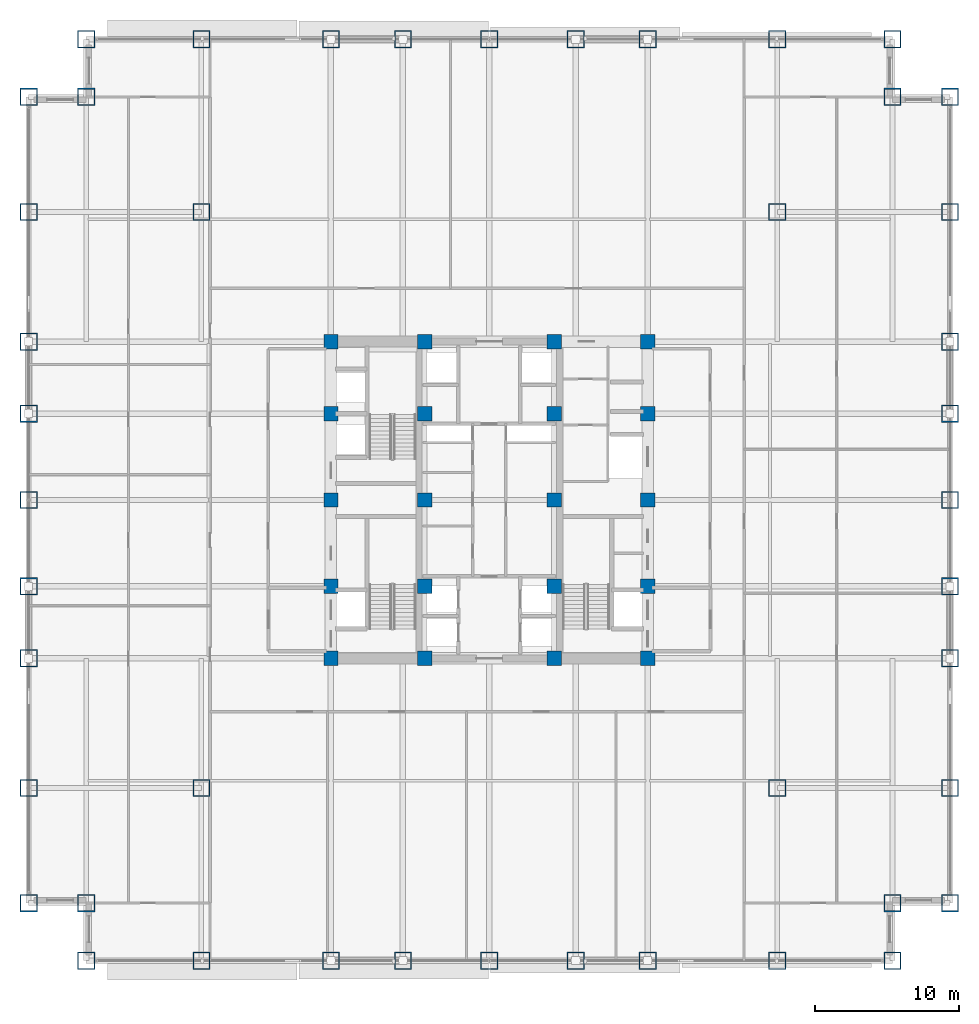
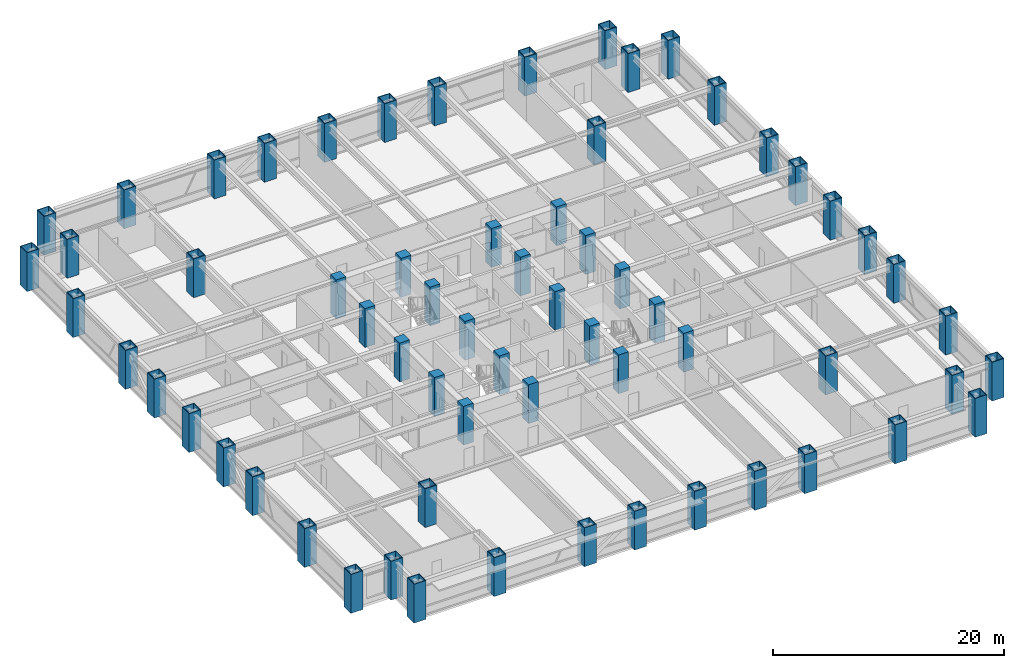
# One storey, part 1 of 32: 64 columns.
"""IFC4 building model written with IfcOpenShell, lengths in metres."""

from ifc_helpers import new_model, si_unit, direction, frame, origin, origin_2d, place, context, subcontext, project, spatial, rectangle, hollow_rectangle, extrude, source, transform, mapped, material, material_profile, profile_set, type_object, element, save


model = new_model("IFC4")

# Units and contexts
model_context = context("Model", 3, precision=1e-05, world=origin(), true_north=direction((0.0, 1.0)))
body_context = subcontext(model_context, "Body", "Model", "MODEL_VIEW")
ifc_project = project(units=[si_unit("LENGTHUNIT", "METRE"), si_unit("AREAUNIT", "SQUARE_METRE"), si_unit("VOLUMEUNIT", "CUBIC_METRE"), si_unit("PLANEANGLEUNIT", "RADIAN"), si_unit("MASSUNIT", "GRAM", prefix="KILO")], contexts=[model_context])

# Site, building, storey
site_placement = place(None, origin())
site = spatial("IfcSite", under=ifc_project, at=site_placement, CompositionType="ELEMENT")
building_placement = place(site_placement, origin())
building = spatial("IfcBuilding", under=site, at=building_placement, Name="Khorayat Bourse Tower", CompositionType="ELEMENT")
storey_placement = place(building_placement, frame((0.0, 0.0, 136.5)))
storey = spatial("IfcBuildingStorey", under=building, at=storey_placement, Name="L31", CompositionType="ELEMENT", Elevation=136.5)

# Columns
ifc_material_1 = material(Name="Steel EN 10025-4 S460M", Category="steel")
ifc_material_profile_1 = material_profile(ifc_material_1, hollow_rectangle(XDim=1.199951171875, YDim=1.199951171875, WallThickness=0.070068359375, at=origin_2d()), Name="BOX 1200x1200x70")
ifc_profile_set_1 = profile_set([ifc_material_profile_1], Name="Steel EN 10025-4 S460M")
column_type_1 = type_object("IfcColumnType", Name="COL-TUBE-1200", PredefinedType="COLUMN", material=ifc_profile_set_1)
shared_shape_1 = source(origin(), body_context, "Body", "SweptSolid", [
    extrude(hollow_rectangle(XDim=1.199951171875, YDim=1.199951171875, WallThickness=0.070068359375, at=origin_2d()), origin(), (0.0, 0.0, 1.0), 4.10009765625),
])
for number, where, z_axis, x_axis, name in (
    (1, (-32.0, -28.0, 0.0), (0.0, 0.0, 1.0), (1.0, 0.0, 0.0), "L31 Column 001"),
    (2, (-32.0, -20.0, 0.0), (0.0, 0.0, 1.0), (1.0, 0.0, 0.0), "L31 Column 002"),
    (3, (-32.0, -11.0, 0.0), (0.0, 0.0, 1.0), (1.0, 0.0, 0.0), "L31 Column 003"),
    (4, (-32.0, -6.0, 0.0), (0.0, 0.0, 1.0), (1.0, 0.0, 0.0), "L31 Column 004"),
    (5, (-32.0, 0.0, 0.0), (0.0, 0.0, 1.0), (1.0, 0.0, 0.0), "L31 Column 005"),
    (6, (-32.0, 6.0, 0.0), (0.0, 0.0, 1.0), (1.0, 0.0, 0.0), "L31 Column 006"),
    (7, (-32.0, 11.0, 0.0), (0.0, 0.0, 1.0), (1.0, 0.0, 0.0), "L31 Column 007"),
    (8, (-32.0, 20.0, 0.0), (0.0, 0.0, 1.0), (1.0, 0.0, 0.0), "L31 Column 008"),
    (9, (-32.0, 28.0, 0.0), (0.0, 0.0, 1.0), (1.0, 0.0, 0.0), "L31 Column 009"),
    (10, (-28.0, -32.0, 0.0), (0.0, 0.0, 1.0), (1.0, 0.0, 0.0), "L31 Column 010"),
    (11, (-28.0, -28.0, 0.0), (0.0, 0.0, 1.0), (1.0, 0.0, 0.0), "L31 Column 011"),
    (12, (-28.0, 28.0, 0.0), (0.0, 0.0, 1.0), (1.0, 0.0, 0.0), "L31 Column 012"),
    (13, (-28.0, 32.0, 0.0), (0.0, 0.0, 1.0), (1.0, 0.0, 0.0), "L31 Column 013"),
    (14, (-20.0, -32.0, 0.0), (0.0, 0.0, 1.0), (1.0, 0.0, 0.0), "L31 Column 014"),
    (15, (-20.0, -20.0, 0.0), (0.0, 0.0, 1.0), (1.0, 0.0, 0.0), "L31 Column 015"),
    (16, (-20.0, 20.0, 0.0), (0.0, 0.0, 1.0), (1.0, 0.0, 0.0), "L31 Column 016"),
    (17, (-20.0, 32.0, 0.0), (0.0, 0.0, 1.0), (1.0, 0.0, 0.0), "L31 Column 017"),
    (18, (-11.0, -32.0, 0.0), (0.0, 0.0, 1.0), (1.0, 0.0, 0.0), "L31 Column 018"),
    (19, (-11.0, 32.0, 0.0), (0.0, 0.0, 1.0), (1.0, 0.0, 0.0), "L31 Column 024"),
    (20, (-6.0, -32.0, 0.0), (0.0, 0.0, 1.0), (1.0, 0.0, 0.0), "L31 Column 025"),
    (21, (-6.0, 32.0, 0.0), (0.0, 0.0, 1.0), (1.0, 0.0, 0.0), "L31 Column 026"),
    (22, (0.0, -32.0, 0.0), (0.0, 0.0, 1.0), (1.0, 0.0, 0.0), "L31 Column 032"),
    (23, (0.0, 32.0, 0.0), (0.0, 0.0, 1.0), (1.0, 0.0, 0.0), "L31 Column 033"),
    (24, (6.0, -32.0, 0.0), (0.0, 0.0, 1.0), (1.0, 0.0, 0.0), "L31 Column 039"),
    (25, (6.0, 32.0, 0.0), (0.0, 0.0, 1.0), (1.0, 0.0, 0.0), "L31 Column 040"),
    (26, (11.0, -32.0, 0.0), (0.0, 0.0, 1.0), (1.0, 0.0, 0.0), "L31 Column 041"),
    (27, (11.0, 32.0, 0.0), (0.0, 0.0, 1.0), (1.0, 0.0, 0.0), "L31 Column 047"),
    (28, (20.0, -32.0, 0.0), (0.0, 0.0, 1.0), (1.0, 0.0, 0.0), "L31 Column 048"),
    (29, (20.0, -20.0, 0.0), (0.0, 0.0, 1.0), (1.0, 0.0, 0.0), "L31 Column 049"),
    (30, (20.0, 20.0, 0.0), (0.0, 0.0, 1.0), (1.0, 0.0, 0.0), "L31 Column 050"),
    (31, (20.0, 32.0, 0.0), (0.0, 0.0, 1.0), (1.0, 0.0, 0.0), "L31 Column 051"),
    (32, (28.0, -32.0, 0.0), (0.0, 0.0, 1.0), (1.0, 0.0, 0.0), "L31 Column 052"),
    (33, (28.0, -28.0, 0.0), (0.0, 0.0, 1.0), (1.0, 0.0, 0.0), "L31 Column 053"),
    (34, (28.0, 28.0, 0.0), (0.0, 0.0, 1.0), (1.0, 0.0, 0.0), "L31 Column 054"),
    (35, (28.0, 32.0, 0.0), (0.0, 0.0, 1.0), (1.0, 0.0, 0.0), "L31 Column 055"),
    (36, (32.0, -28.0, 0.0), (0.0, 0.0, 1.0), (1.0, 0.0, 0.0), "L31 Column 056"),
    (37, (32.0, -20.0, 0.0), (0.0, 0.0, 1.0), (1.0, 0.0, 0.0), "L31 Column 057"),
    (38, (32.0, -11.0, 0.0), (0.0, 0.0, 1.0), (1.0, 0.0, 0.0), "L31 Column 058"),
    (39, (32.0, -6.0, 0.0), (0.0, 0.0, 1.0), (1.0, 0.0, 0.0), "L31 Column 059"),
    (40, (32.0, 0.0, 0.0), (0.0, 0.0, 1.0), (1.0, 0.0, 0.0), "L31 Column 060"),
    (41, (32.0, 6.0, 0.0), (0.0, 0.0, 1.0), (1.0, 0.0, 0.0), "L31 Column 061"),
    (42, (32.0, 11.0, 0.0), (0.0, 0.0, 1.0), (1.0, 0.0, 0.0), "L31 Column 062"),
    (43, (32.0, 20.0, 0.0), (0.0, 0.0, 1.0), (1.0, 0.0, 0.0), "L31 Column 063"),
    (44, (32.0, 28.0, 0.0), (0.0, 0.0, 1.0), (1.0, 0.0, 0.0), "L31 Column 064"),
):
    element("IfcColumn", number, at=place(storey_placement, frame(where, z_axis=z_axis, x_axis=x_axis)), inside=storey, type_object=column_type_1, Name=name, PredefinedType="COLUMN", context=body_context, shape_type="MappedRepresentation", body=[
        mapped(shared_shape_1, transform((0.0, 0.0, 0.0), scale=1.0)),
    ])
ifc_material_2 = material(Name="Concrete C72/90", Category="concrete")
ifc_material_profile_2 = material_profile(ifc_material_2, rectangle(XDim=1.0, YDim=1.0, at=origin_2d()), Name="RC 1000x1000")
ifc_profile_set_2 = profile_set([ifc_material_profile_2], Name="Concrete C72/90")
column_type_2 = type_object("IfcColumnType", Name="COL-CORE-1000", PredefinedType="COLUMN", material=ifc_profile_set_2)
shared_shape_2 = source(origin(), body_context, "Body", "SweptSolid", [
    extrude(rectangle(XDim=1.0, YDim=1.0, at=origin_2d()), origin(), (0.0, 0.0, 1.0), 4.10009765625),
])
for number, where, z_axis, x_axis, name in (
    (45, (-11.0, -11.0, 0.0), (0.0, 0.0, 1.0), (1.0, 0.0, 0.0), "L31 Column 019"),
    (46, (-11.0, -6.0, 0.0), (0.0, 0.0, 1.0), (1.0, 0.0, 0.0), "L31 Column 020"),
    (47, (-11.0, 0.0, 0.0), (0.0, 0.0, 1.0), (1.0, 0.0, 0.0), "L31 Column 021"),
    (48, (-11.0, 6.0, 0.0), (0.0, 0.0, 1.0), (1.0, 0.0, 0.0), "L31 Column 022"),
    (49, (-11.0, 11.0, 0.0), (0.0, 0.0, 1.0), (1.0, 0.0, 0.0), "L31 Column 023"),
    (50, (-4.5, -11.0, 0.0), (0.0, 0.0, 1.0), (1.0, 0.0, 0.0), "L31 Column 027"),
    (51, (-4.5, -6.0, 0.0), (0.0, 0.0, 1.0), (1.0, 0.0, 0.0), "L31 Column 028"),
    (52, (-4.5, 0.0, 0.0), (0.0, 0.0, 1.0), (1.0, 0.0, 0.0), "L31 Column 029"),
    (53, (-4.5, 6.0, 0.0), (0.0, 0.0, 1.0), (1.0, 0.0, 0.0), "L31 Column 030"),
    (54, (-4.5, 11.0, 0.0), (0.0, 0.0, 1.0), (1.0, 0.0, 0.0), "L31 Column 031"),
    (55, (4.5, -11.0, 0.0), (0.0, 0.0, 1.0), (1.0, 0.0, 0.0), "L31 Column 034"),
    (56, (4.5, -6.0, 0.0), (0.0, 0.0, 1.0), (1.0, 0.0, 0.0), "L31 Column 035"),
    (57, (4.5, 0.0, 0.0), (0.0, 0.0, 1.0), (1.0, 0.0, 0.0), "L31 Column 036"),
    (58, (4.5, 6.0, 0.0), (0.0, 0.0, 1.0), (1.0, 0.0, 0.0), "L31 Column 037"),
    (59, (4.5, 11.0, 0.0), (0.0, 0.0, 1.0), (1.0, 0.0, 0.0), "L31 Column 038"),
    (60, (11.0, -11.0, 0.0), (0.0, 0.0, 1.0), (1.0, 0.0, 0.0), "L31 Column 042"),
    (61, (11.0, -6.0, 0.0), (0.0, 0.0, 1.0), (1.0, 0.0, 0.0), "L31 Column 043"),
    (62, (11.0, 0.0, 0.0), (0.0, 0.0, 1.0), (1.0, 0.0, 0.0), "L31 Column 044"),
    (63, (11.0, 6.0, 0.0), (0.0, 0.0, 1.0), (1.0, 0.0, 0.0), "L31 Column 045"),
    (64, (11.0, 11.0, 0.0), (0.0, 0.0, 1.0), (1.0, 0.0, 0.0), "L31 Column 046"),
):
    element("IfcColumn", number, at=place(storey_placement, frame(where, z_axis=z_axis, x_axis=x_axis)), inside=storey, type_object=column_type_2, Name=name, PredefinedType="COLUMN", context=body_context, shape_type="MappedRepresentation", body=[
        mapped(shared_shape_2, transform((0.0, 0.0, 0.0), scale=1.0)),
    ])

save(model, "model.ifc")
